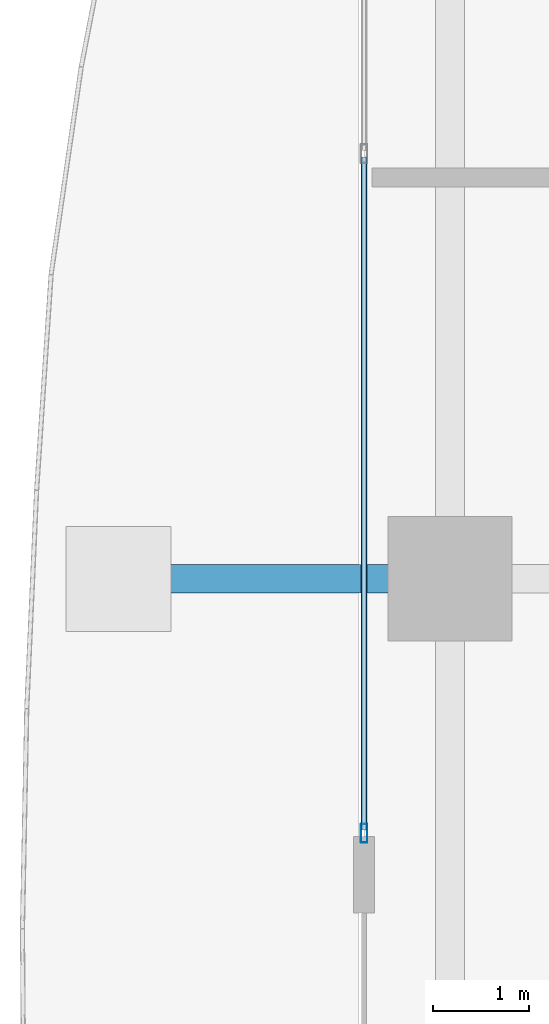
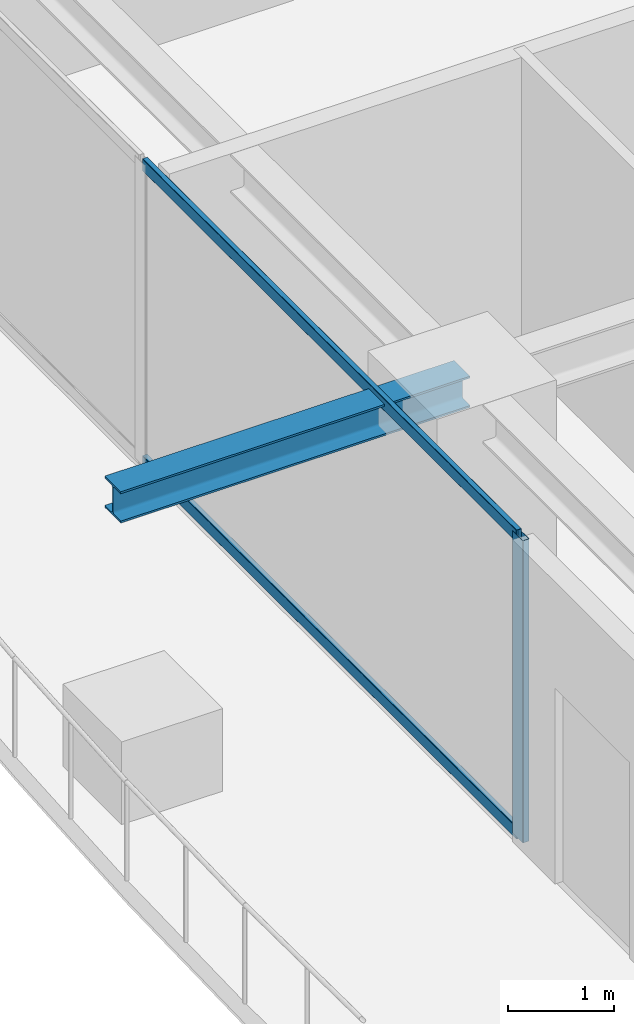
# One storey, part 10 of 39: 3 members, 1 beam, 1 element without a shape of its own.
"""IFC4 building model written with IfcOpenShell, lengths in metres."""

import ifcopenshell
import ifcopenshell.guid

model = None  # the IFC model being written
_history = None  # IfcOwnerHistory: only IFC2X3 demands one
_inside = {}  # id of a spatial element -> (the spatial element, [elements in it])
_under = {}  # id of a project, library or spatial element -> (it, [spatial elements below it])
_declared = {}  # id of a project -> (the project, [libraries it declares])
_typed = {}  # id of a type object -> (the type object, [elements of that type])
_made_of = {}  # id of a material, layer set ... -> (it, [elements and type objects made of it])


def new_model(schema):
    """Start an empty IFC model of exactly this schema.

    Asked for "IFC4X3", IfcOpenShell would pick the latest addendum, in which some entities
    have other attributes; the version numbers below select the first issue.
    IFC2X3 requires an IfcOwnerHistory on every rooted entity: one is made here for all.
    """
    global model, _history
    if schema == "IFC4X3":
        model = ifcopenshell.file(schema_version=(4, 3, 0, 0))
    else:
        model = ifcopenshell.file(schema=schema)
    _inside.clear()
    _under.clear()
    _declared.clear()
    _typed.clear()
    _made_of.clear()
    _history = None
    if model.schema == "IFC2X3":
        org = make("IfcOrganization", Name="unknown")
        user = make(
            "IfcPersonAndOrganization",
            ThePerson=make("IfcPerson", FamilyName="unknown"),
            TheOrganization=org,
        )
        app = make(
            "IfcApplication",
            ApplicationDeveloper=org,
            Version="unknown",
            ApplicationFullName="unknown",
            ApplicationIdentifier="unknown",
        )
        _history = make(
            "IfcOwnerHistory",
            OwningUser=user,
            OwningApplication=app,
            ChangeAction="ADDED",
            CreationDate=0,
        )
    return model


def make(cls, **values):
    """One entity of the class cls with the attributes given. An attribute that is None is left unset."""
    return model.create_entity(
        cls, **{name: value for name, value in values.items() if value is not None}
    )


def rooted(cls, **values):
    """An entity with a GlobalId (a new one), such as an element, a storey or a relation."""
    return make(cls, GlobalId=ifcopenshell.guid.new(), OwnerHistory=_history, **values)


def si_unit(unit_type, name, prefix=None):
    """IfcSIUnit, for example si_unit("LENGTHUNIT", "METRE", prefix="MILLI")."""
    return make("IfcSIUnit", UnitType=unit_type, Prefix=prefix, Name=name)


def assignment(units):
    """IfcUnitAssignment: the units of a project."""
    return None if units is None else make("IfcUnitAssignment", Units=units)


def point(xyz):
    """IfcCartesianPoint."""
    return None if xyz is None else make("IfcCartesianPoint", Coordinates=xyz)


def direction(xyz):
    """IfcDirection."""
    return None if xyz is None else make("IfcDirection", DirectionRatios=xyz)


def frame(location, z_axis=None, x_axis=None):
    """IfcAxis2Placement3D, a coordinate frame: its origin and axes. An axis left out is left unset."""
    return make(
        "IfcAxis2Placement3D",
        Location=point(location),
        Axis=direction(z_axis),
        RefDirection=direction(x_axis),
    )


def frame_2d(location, x_axis=None):
    """IfcAxis2Placement2D, a coordinate frame in the plane: its origin and x axis."""
    return make(
        "IfcAxis2Placement2D", Location=point(location), RefDirection=direction(x_axis)
    )


def origin():
    """The frame at (0, 0, 0) with its axes left unset."""
    return frame((0.0, 0.0, 0.0))


def origin_2d():
    """The frame at (0, 0) in the plane with its x axis left unset."""
    return frame_2d((0.0, 0.0))


def place(relative_to, where):
    """IfcLocalPlacement: puts the frame where relative to a parent placement (None: the world)."""
    return make(
        "IfcLocalPlacement", PlacementRelTo=relative_to, RelativePlacement=where
    )


def context(
    kind, dimensions, precision=None, world=None, true_north=None, identifier=None
):
    """IfcGeometricRepresentationContext, for example the 3D "Model" context."""
    return make(
        "IfcGeometricRepresentationContext",
        ContextIdentifier=identifier,
        ContextType=kind,
        CoordinateSpaceDimension=dimensions,
        Precision=precision,
        WorldCoordinateSystem=world,
        TrueNorth=true_north,
    )


def subcontext(parent, identifier, kind, view, scale=None):
    """IfcGeometricRepresentationSubContext, for example "Body" below "Model"."""
    return make(
        "IfcGeometricRepresentationSubContext",
        ContextIdentifier=identifier,
        ContextType=kind,
        ParentContext=parent,
        TargetScale=scale,
        TargetView=view,
    )


def project(units=None, contexts=None):
    """IfcProject with its units and contexts."""
    return rooted(
        "IfcProject",
        Name="project",
        RepresentationContexts=contexts,
        UnitsInContext=assignment(units),
    )


def spatial(cls, under=None, at=None, **own):
    """A site, building, storey or space (cls), placed at a placement, below another one or the project."""
    s = rooted(cls, ObjectPlacement=at, **own)
    if under is not None:
        _under.setdefault(under.id(), (under, []))[1].append(s)
    return s


def profile(cls, at=None, kind="AREA", **sizes):
    """A parametric profile (cls). Its sizes go by their IFC names, for example OverallWidth=200.0."""
    return make(cls, ProfileType=kind, Position=at, **sizes)


def hollow_rectangle(**sizes):
    """IfcRectangleHollowProfileDef."""
    return profile("IfcRectangleHollowProfileDef", **sizes)


def i_section(**sizes):
    """IfcIShapeProfileDef."""
    return profile("IfcIShapeProfileDef", **sizes)


def extrude(swept, where, along, depth):
    """IfcExtrudedAreaSolid: the profile swept, set in the frame where, extruded along a direction by depth."""
    return make(
        "IfcExtrudedAreaSolid",
        SweptArea=swept,
        Position=where,
        ExtrudedDirection=direction(along),
        Depth=depth,
    )


def shape(context_of_items, identifier, shape_type, items):
    """IfcShapeRepresentation: the items that make up one representation, for example the "Body"."""
    return make(
        "IfcShapeRepresentation",
        ContextOfItems=context_of_items,
        RepresentationIdentifier=identifier,
        RepresentationType=shape_type,
        Items=items,
    )


def source(mapping_origin, context_of_items, identifier, shape_type, items):
    """IfcRepresentationMap: a shape defined once, which mapped items show again and again."""
    return make(
        "IfcRepresentationMap",
        MappingOrigin=mapping_origin,
        MappedRepresentation=shape(context_of_items, identifier, shape_type, items),
    )


def transform(
    local_origin,
    x_axis=None,
    y_axis=None,
    z_axis=None,
    scale=None,
    scale2=None,
    scale3=None,
    uniform=True,
):
    """IfcCartesianTransformationOperator3D, or its non-uniform kind. x_axis, y_axis, z_axis: its Axis1, 2, 3."""
    if uniform:
        return make(
            "IfcCartesianTransformationOperator3D",
            Axis1=direction(x_axis),
            Axis2=direction(y_axis),
            LocalOrigin=point(local_origin),
            Scale=scale,
            Axis3=direction(z_axis),
        )
    return make(
        "IfcCartesianTransformationOperator3DnonUniform",
        Axis1=direction(x_axis),
        Axis2=direction(y_axis),
        LocalOrigin=point(local_origin),
        Scale=scale,
        Axis3=direction(z_axis),
        Scale2=scale2,
        Scale3=scale3,
    )


def mapped(mapping_source, mapping_target):
    """IfcMappedItem: shows the shape of a source again, moved by a transform."""
    return make(
        "IfcMappedItem", MappingSource=mapping_source, MappingTarget=mapping_target
    )


def material(Name=None, Category=None):
    """IfcMaterial."""
    return make("IfcMaterial", Name=Name, Category=Category)


def layer(
    of_material, thickness, ventilated=None, Name=None, Category=None, Priority=None
):
    """IfcMaterialLayer: one layer of a wall or slab, of a material (None: an air gap)."""
    return make(
        "IfcMaterialLayer",
        Material=of_material,
        LayerThickness=thickness,
        IsVentilated=ventilated,
        Name=Name,
        Category=Category,
        Priority=Priority,
    )


def layer_set(layers, Name=None):
    """IfcMaterialLayerSet."""
    return make("IfcMaterialLayerSet", MaterialLayers=layers, LayerSetName=Name)


def material_profile(
    of_material, cross_section, Name=None, Category=None, Priority=None
):
    """IfcMaterialProfile: a cross section and its material."""
    return make(
        "IfcMaterialProfile",
        Name=Name,
        Material=of_material,
        Profile=cross_section,
        Priority=Priority,
        Category=Category,
    )


def profile_set(profiles, Name=None, composite=None):
    """IfcMaterialProfileSet."""
    return make(
        "IfcMaterialProfileSet",
        Name=Name,
        MaterialProfiles=profiles,
        CompositeProfile=composite,
    )


def made_of(thing, what):
    """Note that an element or type object is made of a material, layer set ...; save() writes the relation."""
    if what is not None:
        _made_of.setdefault(what.id(), (what, []))[1].append(thing)
    return thing


def type_object(cls, material=None, **own):
    """A type object (cls), such as IfcWallType, which elements share."""
    return made_of(rooted(cls, **own), material)


def element(
    cls,
    number,
    at=None,
    inside=None,
    cuts=None,
    type_object=None,
    material=None,
    context=None,
    identifier="Body",
    shape_type=None,
    held_by="IfcProductDefinitionShape",
    body=None,
    shapes=None,
    **own,
):
    """One element of the class cls, such as IfcWall. Its Tag is "e" and its number.

    at: its placement. inside: the storey or other place that contains it. cuts: it is an
    opening in that element (IfcRelVoidsElement). A single representation is given by context,
    identifier, shape_type and body (its items); several are given by shapes. held_by: the class
    of the entity that holds the representations. save() writes the other relations.
    """
    e = rooted(cls, Tag="e%d" % number, ObjectPlacement=at, **own)
    if body is not None:
        shapes = [shape(context, identifier, shape_type, body)]
    if shapes is not None:
        e.Representation = make(held_by, Representations=shapes)
    if inside is not None:
        _inside.setdefault(inside.id(), (inside, []))[1].append(e)
    if cuts is not None:
        rooted(
            "IfcRelVoidsElement", RelatingBuildingElement=cuts, RelatedOpeningElement=e
        )
    if type_object is not None:
        _typed.setdefault(type_object.id(), (type_object, []))[1].append(e)
    return made_of(e, material)


def aggregate(whole, parts):
    """IfcRelAggregates: a whole, such as a stair, and the parts it consists of."""
    return rooted("IfcRelAggregates", RelatingObject=whole, RelatedObjects=parts)


def save(model, path):
    """Write the relations noted so far, then the file.

    IfcRelAggregates (storeys below a building ...), IfcRelContainedInSpatialStructure (elements
    in a storey), IfcRelDefinesByType, IfcRelAssociatesMaterial and IfcRelDeclares: one each for
    every whole, place, type object, material and project.
    """
    for whole, parts in _under.values():
        aggregate(whole, parts)
    for where, things in _inside.values():
        rooted(
            "IfcRelContainedInSpatialStructure",
            RelatedElements=things,
            RelatingStructure=where,
        )
    for kind, things in _typed.values():
        rooted("IfcRelDefinesByType", RelatedObjects=things, RelatingType=kind)
    for what, things in _made_of.values():
        rooted("IfcRelAssociatesMaterial", RelatedObjects=things, RelatingMaterial=what)
    for by, libraries in _declared.values():
        rooted("IfcRelDeclares", RelatingContext=by, RelatedDefinitions=libraries)
    model.write(path)


model = new_model("IFC4")

# Units and contexts
model_context = context("Model", 3, precision=1e-05, world=origin(), true_north=direction((0.0, 1.0)))
body_context = subcontext(model_context, "Body", "Model", "MODEL_VIEW")
ifc_project = project(units=[si_unit("LENGTHUNIT", "METRE"), si_unit("AREAUNIT", "SQUARE_METRE"), si_unit("VOLUMEUNIT", "CUBIC_METRE"), si_unit("PLANEANGLEUNIT", "RADIAN"), si_unit("MASSUNIT", "GRAM", prefix="KILO")], contexts=[model_context])

# Site, building, storey
site_placement = place(None, origin())
site = spatial("IfcSite", under=ifc_project, at=site_placement, CompositionType="ELEMENT")
building_placement = place(site_placement, origin())
building = spatial("IfcBuilding", under=site, at=building_placement, Name="Serunith Strait Residences", CompositionType="ELEMENT")
storey_placement = place(building_placement, frame((0.0, 0.0, 168.89990234375)))
storey = spatial("IfcBuildingStorey", under=building, at=storey_placement, Name="L42", CompositionType="ELEMENT", Elevation=168.89990234375)

# Beam
ifc_material_1 = material(Name="Steel S355J2", Category="steel")
ifc_material_profile_1 = material_profile(ifc_material_1, i_section(OverallWidth=0.300048828125, OverallDepth=0.360107421875, WebThickness=0.012451171875, FlangeThickness=0.0224609375, FilletRadius=0.027099609375, at=origin_2d()), Name="HEB 360")
ifc_profile_set_1 = profile_set([ifc_material_profile_1], Name="Steel S355J2")
beam_type = type_object("IfcBeamType", Name="BM-HEB360", PredefinedType="BEAM", material=ifc_profile_set_1)
shared_shape_1 = source(origin(), body_context, "Body", "SweptSolid", [
    extrude(i_section(OverallWidth=0.300048828125, OverallDepth=0.360107421875, WebThickness=0.012451171875, FlangeThickness=0.0224609375, FilletRadius=0.027099609375, at=origin_2d()), origin(), (0.0, 0.0, 1.0), 3.800048828125),
])
beam_placement = place(storey_placement, frame((8.699951171875, 29.39990234375, 3.277099609375), z_axis=(-1.0, 0.0, 0.0), x_axis=(0.0, -1.0, 0.0)))
element("IfcBeam", 1, at=beam_placement, inside=storey, type_object=beam_type, Name="L43 Cantilevered Balcony Rib TC-W3", PredefinedType="BEAM", context=body_context, shape_type="MappedRepresentation", body=[
    mapped(shared_shape_1, transform((0.0, 0.0, 0.0), scale=1.0)),
])

# Curtain wall, members
ifc_material_2 = material(Name="Pale-Champagne Anodised Aluminium", Category="aluminium")
ifc_layer = layer(ifc_material_2, 0.199951171875, Name="Pale-Champagne Anodised Aluminium")
ifc_layer_set = layer_set([ifc_layer], Name="Pale-Champagne Anodised Aluminium")
curtain_wall_type = type_object("IfcCurtainWallType", Name="CW-SYS2", PredefinedType="NOTDEFINED", material=ifc_layer_set)
curtain_wall_placement = place(storey_placement, origin())
curtain_wall = element("IfcCurtainWall", 2, at=curtain_wall_placement, inside=storey, type_object=curtain_wall_type, Name="L42 W Unitised Fritted Curtain Wall", PredefinedType="NOTDEFINED")
ifc_material_profile_2 = material_profile(ifc_material_2, hollow_rectangle(XDim=0.070068359375, YDim=0.199951171875, WallThickness=0.00390625, InnerFilletRadius=0.006103515625, OuterFilletRadius=0.010009765625, at=origin_2d()), Name="ALU 200x70x4")
ifc_profile_set_2 = profile_set([ifc_material_profile_2], Name="Pale-Champagne Anodised Aluminium")
member_type_1 = type_object("IfcMemberType", Name="CW-SYS2-MULL", PredefinedType="MULLION", material=ifc_profile_set_2)
shared_shape_2 = source(origin(), body_context, "Body", "SweptSolid", [
    extrude(hollow_rectangle(XDim=0.070068359375, YDim=0.199951171875, WallThickness=0.00390625, InnerFilletRadius=0.006103515625, OuterFilletRadius=0.010009765625, at=origin_2d()), origin(), (0.0, 0.0, 1.0), 3.47509765625),
])
member_1_placement = place(storey_placement, frame((7.800048828125, 26.735107421875, 0.0), z_axis=(0.0, 0.0, 1.0), x_axis=(1.0, 0.0, 0.0)))
member_1 = element("IfcMember", 3, at=member_1_placement, type_object=member_type_1, Name="CW-2 mullion 3", PredefinedType="MULLION", context=body_context, shape_type="MappedRepresentation", body=[
    mapped(shared_shape_2, transform((0.0, 0.0, 0.0), scale=1.0)),
])
ifc_material_profile_3 = material_profile(ifc_material_2, hollow_rectangle(XDim=0.06005859375, YDim=0.139892578125, WallThickness=0.00341796875, InnerFilletRadius=0.00537109375, OuterFilletRadius=0.0087890625, at=origin_2d()), Name="ALU 140x60x3.5")
ifc_profile_set_3 = profile_set([ifc_material_profile_3], Name="Pale-Champagne Anodised Aluminium")
member_type_2 = type_object("IfcMemberType", Name="CW-SYS2-TRAN", PredefinedType="USERDEFINED", material=ifc_profile_set_3)
shared_shape_3 = source(origin(), body_context, "Body", "SweptSolid", [
    extrude(hollow_rectangle(XDim=0.06005859375, YDim=0.139892578125, WallThickness=0.00341796875, InnerFilletRadius=0.00537109375, OuterFilletRadius=0.0087890625, at=origin_2d()), origin(), (0.0, 0.0, 1.0), 7.044921875),
])
member_2_placement = place(storey_placement, frame((7.800048828125, 33.81494140625, 0.030029296875), z_axis=(0.0, -1.0, 0.0), x_axis=(1.0, 0.0, 0.0)))
member_2 = element("IfcMember", 4, at=member_2_placement, type_object=member_type_2, Name="CW-2 transom 2.1", ObjectType="TRANSOM", PredefinedType="USERDEFINED", context=body_context, shape_type="MappedRepresentation", body=[
    mapped(shared_shape_3, transform((0.0, 0.0, 0.0), scale=1.0)),
])
member_3_placement = place(storey_placement, frame((7.800048828125, 33.81494140625, 3.445068359375), z_axis=(0.0, -1.0, 0.0), x_axis=(1.0, 0.0, 0.0)))
member_3 = element("IfcMember", 5, at=member_3_placement, type_object=member_type_2, Name="CW-2 transom 2.2", ObjectType="TRANSOM", PredefinedType="USERDEFINED", context=body_context, shape_type="MappedRepresentation", body=[
    mapped(shared_shape_3, transform((0.0, 0.0, 0.0), scale=1.0)),
])
aggregate(curtain_wall, [member_1, member_2, member_3])

save(model, "model.ifc")
